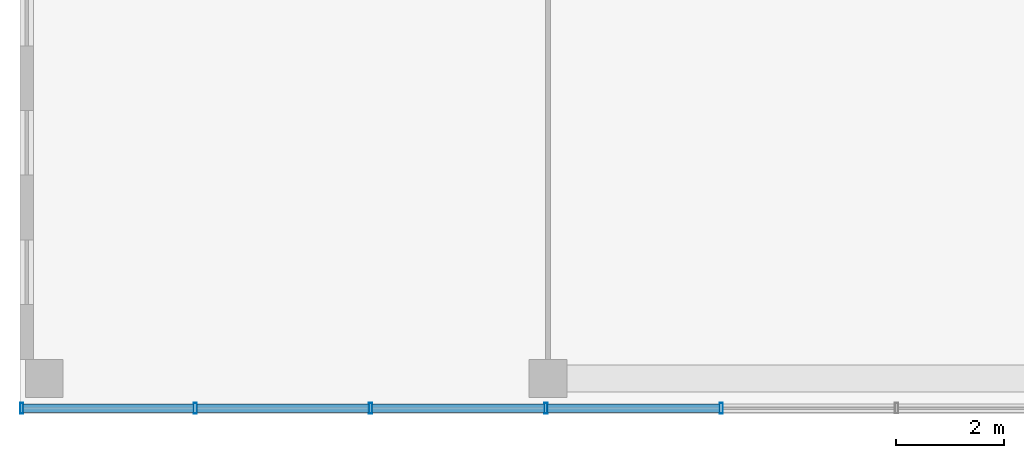
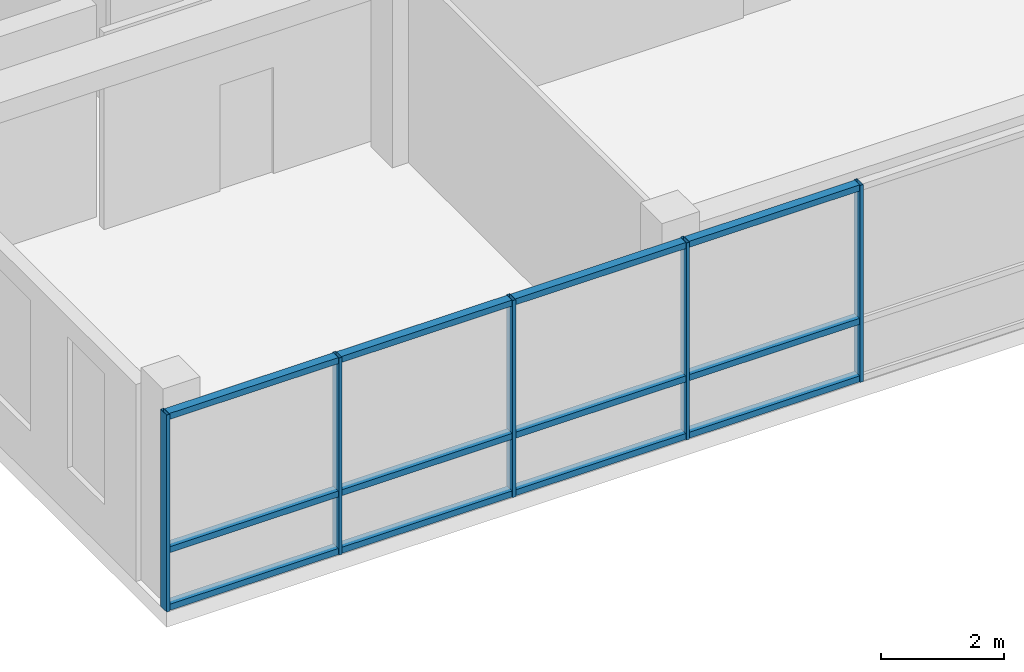
# One storey, part 2 of 27: 17 members, 1 element without a shape of its own.
"""IFC4 building model written with IfcOpenShell, lengths in metres."""

import ifcopenshell
import ifcopenshell.guid

model = None  # the IFC model being written
_history = None  # IfcOwnerHistory: only IFC2X3 demands one
_inside = {}  # id of a spatial element -> (the spatial element, [elements in it])
_under = {}  # id of a project, library or spatial element -> (it, [spatial elements below it])
_declared = {}  # id of a project -> (the project, [libraries it declares])
_typed = {}  # id of a type object -> (the type object, [elements of that type])
_made_of = {}  # id of a material, layer set ... -> (it, [elements and type objects made of it])


def new_model(schema):
    """Start an empty IFC model of exactly this schema.

    Asked for "IFC4X3", IfcOpenShell would pick the latest addendum, in which some entities
    have other attributes; the version numbers below select the first issue.
    IFC2X3 requires an IfcOwnerHistory on every rooted entity: one is made here for all.
    """
    global model, _history
    if schema == "IFC4X3":
        model = ifcopenshell.file(schema_version=(4, 3, 0, 0))
    else:
        model = ifcopenshell.file(schema=schema)
    _inside.clear()
    _under.clear()
    _declared.clear()
    _typed.clear()
    _made_of.clear()
    _history = None
    if model.schema == "IFC2X3":
        org = make("IfcOrganization", Name="unknown")
        user = make(
            "IfcPersonAndOrganization",
            ThePerson=make("IfcPerson", FamilyName="unknown"),
            TheOrganization=org,
        )
        app = make(
            "IfcApplication",
            ApplicationDeveloper=org,
            Version="unknown",
            ApplicationFullName="unknown",
            ApplicationIdentifier="unknown",
        )
        _history = make(
            "IfcOwnerHistory",
            OwningUser=user,
            OwningApplication=app,
            ChangeAction="ADDED",
            CreationDate=0,
        )
    return model


def make(cls, **values):
    """One entity of the class cls with the attributes given. An attribute that is None is left unset."""
    return model.create_entity(
        cls, **{name: value for name, value in values.items() if value is not None}
    )


def rooted(cls, **values):
    """An entity with a GlobalId (a new one), such as an element, a storey or a relation."""
    return make(cls, GlobalId=ifcopenshell.guid.new(), OwnerHistory=_history, **values)


def si_unit(unit_type, name, prefix=None):
    """IfcSIUnit, for example si_unit("LENGTHUNIT", "METRE", prefix="MILLI")."""
    return make("IfcSIUnit", UnitType=unit_type, Prefix=prefix, Name=name)


def assignment(units):
    """IfcUnitAssignment: the units of a project."""
    return None if units is None else make("IfcUnitAssignment", Units=units)


def point(xyz):
    """IfcCartesianPoint."""
    return None if xyz is None else make("IfcCartesianPoint", Coordinates=xyz)


def direction(xyz):
    """IfcDirection."""
    return None if xyz is None else make("IfcDirection", DirectionRatios=xyz)


def frame(location, z_axis=None, x_axis=None):
    """IfcAxis2Placement3D, a coordinate frame: its origin and axes. An axis left out is left unset."""
    return make(
        "IfcAxis2Placement3D",
        Location=point(location),
        Axis=direction(z_axis),
        RefDirection=direction(x_axis),
    )


def frame_2d(location, x_axis=None):
    """IfcAxis2Placement2D, a coordinate frame in the plane: its origin and x axis."""
    return make(
        "IfcAxis2Placement2D", Location=point(location), RefDirection=direction(x_axis)
    )


def origin():
    """The frame at (0, 0, 0) with its axes left unset."""
    return frame((0.0, 0.0, 0.0))


def origin_2d():
    """The frame at (0, 0) in the plane with its x axis left unset."""
    return frame_2d((0.0, 0.0))


def place(relative_to, where):
    """IfcLocalPlacement: puts the frame where relative to a parent placement (None: the world)."""
    return make(
        "IfcLocalPlacement", PlacementRelTo=relative_to, RelativePlacement=where
    )


def context(
    kind, dimensions, precision=None, world=None, true_north=None, identifier=None
):
    """IfcGeometricRepresentationContext, for example the 3D "Model" context."""
    return make(
        "IfcGeometricRepresentationContext",
        ContextIdentifier=identifier,
        ContextType=kind,
        CoordinateSpaceDimension=dimensions,
        Precision=precision,
        WorldCoordinateSystem=world,
        TrueNorth=true_north,
    )


def subcontext(parent, identifier, kind, view, scale=None):
    """IfcGeometricRepresentationSubContext, for example "Body" below "Model"."""
    return make(
        "IfcGeometricRepresentationSubContext",
        ContextIdentifier=identifier,
        ContextType=kind,
        ParentContext=parent,
        TargetScale=scale,
        TargetView=view,
    )


def project(units=None, contexts=None):
    """IfcProject with its units and contexts."""
    return rooted(
        "IfcProject",
        Name="project",
        RepresentationContexts=contexts,
        UnitsInContext=assignment(units),
    )


def spatial(cls, under=None, at=None, **own):
    """A site, building, storey or space (cls), placed at a placement, below another one or the project."""
    s = rooted(cls, ObjectPlacement=at, **own)
    if under is not None:
        _under.setdefault(under.id(), (under, []))[1].append(s)
    return s


def profile(cls, at=None, kind="AREA", **sizes):
    """A parametric profile (cls). Its sizes go by their IFC names, for example OverallWidth=200.0."""
    return make(cls, ProfileType=kind, Position=at, **sizes)


def hollow_rectangle(**sizes):
    """IfcRectangleHollowProfileDef."""
    return profile("IfcRectangleHollowProfileDef", **sizes)


def extrude(swept, where, along, depth):
    """IfcExtrudedAreaSolid: the profile swept, set in the frame where, extruded along a direction by depth."""
    return make(
        "IfcExtrudedAreaSolid",
        SweptArea=swept,
        Position=where,
        ExtrudedDirection=direction(along),
        Depth=depth,
    )


def shape(context_of_items, identifier, shape_type, items):
    """IfcShapeRepresentation: the items that make up one representation, for example the "Body"."""
    return make(
        "IfcShapeRepresentation",
        ContextOfItems=context_of_items,
        RepresentationIdentifier=identifier,
        RepresentationType=shape_type,
        Items=items,
    )


def material(Name=None, Category=None):
    """IfcMaterial."""
    return make("IfcMaterial", Name=Name, Category=Category)


def layer(
    of_material, thickness, ventilated=None, Name=None, Category=None, Priority=None
):
    """IfcMaterialLayer: one layer of a wall or slab, of a material (None: an air gap)."""
    return make(
        "IfcMaterialLayer",
        Material=of_material,
        LayerThickness=thickness,
        IsVentilated=ventilated,
        Name=Name,
        Category=Category,
        Priority=Priority,
    )


def layer_set(layers, Name=None):
    """IfcMaterialLayerSet."""
    return make("IfcMaterialLayerSet", MaterialLayers=layers, LayerSetName=Name)


def material_profile(
    of_material, cross_section, Name=None, Category=None, Priority=None
):
    """IfcMaterialProfile: a cross section and its material."""
    return make(
        "IfcMaterialProfile",
        Name=Name,
        Material=of_material,
        Profile=cross_section,
        Priority=Priority,
        Category=Category,
    )


def profile_set(profiles, Name=None, composite=None):
    """IfcMaterialProfileSet."""
    return make(
        "IfcMaterialProfileSet",
        Name=Name,
        MaterialProfiles=profiles,
        CompositeProfile=composite,
    )


def made_of(thing, what):
    """Note that an element or type object is made of a material, layer set ...; save() writes the relation."""
    if what is not None:
        _made_of.setdefault(what.id(), (what, []))[1].append(thing)
    return thing


def type_object(cls, material=None, **own):
    """A type object (cls), such as IfcWallType, which elements share."""
    return made_of(rooted(cls, **own), material)


def element(
    cls,
    number,
    at=None,
    inside=None,
    cuts=None,
    type_object=None,
    material=None,
    context=None,
    identifier="Body",
    shape_type=None,
    held_by="IfcProductDefinitionShape",
    body=None,
    shapes=None,
    **own,
):
    """One element of the class cls, such as IfcWall. Its Tag is "e" and its number.

    at: its placement. inside: the storey or other place that contains it. cuts: it is an
    opening in that element (IfcRelVoidsElement). A single representation is given by context,
    identifier, shape_type and body (its items); several are given by shapes. held_by: the class
    of the entity that holds the representations. save() writes the other relations.
    """
    e = rooted(cls, Tag="e%d" % number, ObjectPlacement=at, **own)
    if body is not None:
        shapes = [shape(context, identifier, shape_type, body)]
    if shapes is not None:
        e.Representation = make(held_by, Representations=shapes)
    if inside is not None:
        _inside.setdefault(inside.id(), (inside, []))[1].append(e)
    if cuts is not None:
        rooted(
            "IfcRelVoidsElement", RelatingBuildingElement=cuts, RelatedOpeningElement=e
        )
    if type_object is not None:
        _typed.setdefault(type_object.id(), (type_object, []))[1].append(e)
    return made_of(e, material)


def aggregate(whole, parts):
    """IfcRelAggregates: a whole, such as a stair, and the parts it consists of."""
    return rooted("IfcRelAggregates", RelatingObject=whole, RelatedObjects=parts)


def save(model, path):
    """Write the relations noted so far, then the file.

    IfcRelAggregates (storeys below a building ...), IfcRelContainedInSpatialStructure (elements
    in a storey), IfcRelDefinesByType, IfcRelAssociatesMaterial and IfcRelDeclares: one each for
    every whole, place, type object, material and project.
    """
    for whole, parts in _under.values():
        aggregate(whole, parts)
    for where, things in _inside.values():
        rooted(
            "IfcRelContainedInSpatialStructure",
            RelatedElements=things,
            RelatingStructure=where,
        )
    for kind, things in _typed.values():
        rooted("IfcRelDefinesByType", RelatedObjects=things, RelatingType=kind)
    for what, things in _made_of.values():
        rooted("IfcRelAssociatesMaterial", RelatedObjects=things, RelatingMaterial=what)
    for by, libraries in _declared.values():
        rooted("IfcRelDeclares", RelatingContext=by, RelatedDefinitions=libraries)
    model.write(path)


model = new_model("IFC4")

# Units and contexts
model_context = context("Model", 3, precision=1e-05, world=origin(), true_north=direction((0.0, 1.0)))
body_context = subcontext(model_context, "Body", "Model", "MODEL_VIEW")
ifc_project = project(units=[si_unit("LENGTHUNIT", "METRE"), si_unit("AREAUNIT", "SQUARE_METRE"), si_unit("VOLUMEUNIT", "CUBIC_METRE"), si_unit("PLANEANGLEUNIT", "RADIAN"), si_unit("MASSUNIT", "GRAM", prefix="KILO")], contexts=[model_context])

# Site, building, storey
site_placement = place(None, origin())
site = spatial("IfcSite", under=ifc_project, at=site_placement, CompositionType="ELEMENT")
building_placement = place(site_placement, origin())
building = spatial("IfcBuilding", under=site, at=building_placement, Name="Nzadi Deep Aquarium and Research Tower", CompositionType="ELEMENT")
storey_placement = place(building_placement, frame((0.0, 0.0, 69.699951171875)))
storey = spatial("IfcBuildingStorey", under=building, at=storey_placement, Name="L14", CompositionType="ELEMENT", Elevation=69.699951171875)

# Curtain wall, members
ifc_material_1 = material(Name="Aluminium unitised frame", Category="aluminium")
ifc_layer = layer(ifc_material_1, 0.199951171875)
ifc_layer_set = layer_set([ifc_layer], Name="Aluminium unitised frame")
curtain_wall_type = type_object("IfcCurtainWallType", Name="Curtain wall Unitised 200", PredefinedType="NOTDEFINED", material=ifc_layer_set)
curtain_wall_placement = place(storey_placement, origin())
curtain_wall = element("IfcCurtainWall", 1, at=curtain_wall_placement, inside=storey, type_object=curtain_wall_type, Name="Unitised curtain wall blade A south L14", PredefinedType="NOTDEFINED")
ifc_material_2 = material(Name="Aluminium unitised frame", Category="aluminium")
ifc_material_profile_1 = material_profile(ifc_material_2, hollow_rectangle(XDim=0.199951171875, YDim=0.06005859375, WallThickness=0.0048828125, at=origin_2d()))
ifc_profile_set_1 = profile_set([ifc_material_profile_1], Name="Aluminium unitised frame")
member_type_1 = type_object("IfcMemberType", Name="Mullion 60x200 Unitised", PredefinedType="MULLION", material=ifc_profile_set_1)
member_1_placement = place(storey_placement, frame((-0.16943359375, -0.10009765625, 0.0), z_axis=(0.0, 0.0, 1.0), x_axis=(0.0, 1.0, 0.0)))
member_1 = element("IfcMember", 2, at=member_1_placement, type_object=member_type_1, Name="CW064 mullion 1", PredefinedType="MULLION", context=body_context, shape_type="SweptSolid", body=[
    extrude(hollow_rectangle(XDim=0.199951171875, YDim=0.06005859375, WallThickness=0.0048828125, at=origin_2d()), origin(), (0.0, 0.0, 1.0), 3.900146484375),
])
member_2_placement = place(storey_placement, frame((3.05419921875, -0.10009765625, 0.0), z_axis=(0.0, 0.0, 1.0), x_axis=(0.0, 1.0, 0.0)))
member_2 = element("IfcMember", 3, at=member_2_placement, type_object=member_type_1, Name="CW064 mullion 2", PredefinedType="MULLION", context=body_context, shape_type="SweptSolid", body=[
    extrude(hollow_rectangle(XDim=0.199951171875, YDim=0.06005859375, WallThickness=0.0048828125, at=origin_2d()), origin(), (0.0, 0.0, 1.0), 3.900146484375),
])
member_3_placement = place(storey_placement, frame((6.308349609375, -0.10009765625, 0.0), z_axis=(0.0, 0.0, 1.0), x_axis=(0.0, 1.0, 0.0)))
member_3 = element("IfcMember", 4, at=member_3_placement, type_object=member_type_1, Name="CW064 mullion 3", PredefinedType="MULLION", context=body_context, shape_type="SweptSolid", body=[
    extrude(hollow_rectangle(XDim=0.199951171875, YDim=0.06005859375, WallThickness=0.0048828125, at=origin_2d()), origin(), (0.0, 0.0, 1.0), 3.900146484375),
])
member_4_placement = place(storey_placement, frame((9.5625, -0.10009765625, 0.0), z_axis=(0.0, 0.0, 1.0), x_axis=(0.0, 1.0, 0.0)))
member_4 = element("IfcMember", 5, at=member_4_placement, type_object=member_type_1, Name="CW064 mullion 4", PredefinedType="MULLION", context=body_context, shape_type="SweptSolid", body=[
    extrude(hollow_rectangle(XDim=0.199951171875, YDim=0.06005859375, WallThickness=0.0048828125, at=origin_2d()), origin(), (0.0, 0.0, 1.0), 3.900146484375),
])
member_5_placement = place(storey_placement, frame((12.816650390625, -0.10009765625, 0.0), z_axis=(0.0, 0.0, 1.0), x_axis=(0.0, 1.0, 0.0)))
member_5 = element("IfcMember", 6, at=member_5_placement, type_object=member_type_1, Name="CW064 mullion 5", PredefinedType="MULLION", context=body_context, shape_type="SweptSolid", body=[
    extrude(hollow_rectangle(XDim=0.199951171875, YDim=0.06005859375, WallThickness=0.0048828125, at=origin_2d()), origin(), (0.0, 0.0, 1.0), 3.900146484375),
])
ifc_material_3 = material(Name="Aluminium unitised frame", Category="aluminium")
ifc_material_profile_2 = material_profile(ifc_material_3, hollow_rectangle(XDim=0.159912109375, YDim=0.1201171875, WallThickness=0.0048828125, at=origin_2d()))
ifc_profile_set_2 = profile_set([ifc_material_profile_2], Name="Aluminium unitised frame")
member_type_2 = type_object("IfcMemberType", Name="Transom 120x160 Unitised", PredefinedType="MULLION", material=ifc_profile_set_2)
member_6_placement = place(storey_placement, frame((-0.139892578125, -0.10009765625, 0.06005859375), z_axis=(1.0, 0.0, 0.0), x_axis=(0.0, 1.0, 0.0)))
member_6 = element("IfcMember", 7, at=member_6_placement, type_object=member_type_2, Name="CW064 transom 1.1", PredefinedType="MULLION", context=body_context, shape_type="SweptSolid", body=[
    extrude(hollow_rectangle(XDim=0.159912109375, YDim=0.1201171875, WallThickness=0.0048828125, at=origin_2d()), origin(), (0.0, 0.0, 1.0), 3.1640625),
])
member_7_placement = place(storey_placement, frame((-0.139892578125, -0.10009765625, 1.199951171875), z_axis=(1.0, 0.0, 0.0), x_axis=(0.0, 1.0, 0.0)))
member_7 = element("IfcMember", 8, at=member_7_placement, type_object=member_type_2, Name="CW064 transom 1.2", PredefinedType="MULLION", context=body_context, shape_type="SweptSolid", body=[
    extrude(hollow_rectangle(XDim=0.159912109375, YDim=0.1201171875, WallThickness=0.0048828125, at=origin_2d()), origin(), (0.0, 0.0, 1.0), 3.1640625),
])
member_8_placement = place(storey_placement, frame((-0.139892578125, -0.10009765625, 3.840087890625), z_axis=(1.0, 0.0, 0.0), x_axis=(0.0, 1.0, 0.0)))
member_8 = element("IfcMember", 9, at=member_8_placement, type_object=member_type_2, Name="CW064 transom 1.3", PredefinedType="MULLION", context=body_context, shape_type="SweptSolid", body=[
    extrude(hollow_rectangle(XDim=0.159912109375, YDim=0.1201171875, WallThickness=0.0048828125, at=origin_2d()), origin(), (0.0, 0.0, 1.0), 3.1640625),
])
member_9_placement = place(storey_placement, frame((3.084228515625, -0.10009765625, 0.06005859375), z_axis=(1.0, 0.0, 0.0), x_axis=(0.0, 1.0, 0.0)))
member_9 = element("IfcMember", 10, at=member_9_placement, type_object=member_type_2, Name="CW064 transom 2.1", PredefinedType="MULLION", context=body_context, shape_type="SweptSolid", body=[
    extrude(hollow_rectangle(XDim=0.159912109375, YDim=0.1201171875, WallThickness=0.0048828125, at=origin_2d()), origin(), (0.0, 0.0, 1.0), 3.194091796875),
])
member_10_placement = place(storey_placement, frame((3.084228515625, -0.10009765625, 1.199951171875), z_axis=(1.0, 0.0, 0.0), x_axis=(0.0, 1.0, 0.0)))
member_10 = element("IfcMember", 11, at=member_10_placement, type_object=member_type_2, Name="CW064 transom 2.2", PredefinedType="MULLION", context=body_context, shape_type="SweptSolid", body=[
    extrude(hollow_rectangle(XDim=0.159912109375, YDim=0.1201171875, WallThickness=0.0048828125, at=origin_2d()), origin(), (0.0, 0.0, 1.0), 3.194091796875),
])
member_11_placement = place(storey_placement, frame((3.084228515625, -0.10009765625, 3.840087890625), z_axis=(1.0, 0.0, 0.0), x_axis=(0.0, 1.0, 0.0)))
member_11 = element("IfcMember", 12, at=member_11_placement, type_object=member_type_2, Name="CW064 transom 2.3", PredefinedType="MULLION", context=body_context, shape_type="SweptSolid", body=[
    extrude(hollow_rectangle(XDim=0.159912109375, YDim=0.1201171875, WallThickness=0.0048828125, at=origin_2d()), origin(), (0.0, 0.0, 1.0), 3.194091796875),
])
member_12_placement = place(storey_placement, frame((6.33837890625, -0.10009765625, 0.06005859375), z_axis=(1.0, 0.0, 0.0), x_axis=(0.0, 1.0, 0.0)))
member_12 = element("IfcMember", 13, at=member_12_placement, type_object=member_type_2, Name="CW064 transom 3.1", PredefinedType="MULLION", context=body_context, shape_type="SweptSolid", body=[
    extrude(hollow_rectangle(XDim=0.159912109375, YDim=0.1201171875, WallThickness=0.0048828125, at=origin_2d()), origin(), (0.0, 0.0, 1.0), 3.194091796875),
])
member_13_placement = place(storey_placement, frame((6.33837890625, -0.10009765625, 1.199951171875), z_axis=(1.0, 0.0, 0.0), x_axis=(0.0, 1.0, 0.0)))
member_13 = element("IfcMember", 14, at=member_13_placement, type_object=member_type_2, Name="CW064 transom 3.2", PredefinedType="MULLION", context=body_context, shape_type="SweptSolid", body=[
    extrude(hollow_rectangle(XDim=0.159912109375, YDim=0.1201171875, WallThickness=0.0048828125, at=origin_2d()), origin(), (0.0, 0.0, 1.0), 3.194091796875),
])
member_14_placement = place(storey_placement, frame((6.33837890625, -0.10009765625, 3.840087890625), z_axis=(1.0, 0.0, 0.0), x_axis=(0.0, 1.0, 0.0)))
member_14 = element("IfcMember", 15, at=member_14_placement, type_object=member_type_2, Name="CW064 transom 3.3", PredefinedType="MULLION", context=body_context, shape_type="SweptSolid", body=[
    extrude(hollow_rectangle(XDim=0.159912109375, YDim=0.1201171875, WallThickness=0.0048828125, at=origin_2d()), origin(), (0.0, 0.0, 1.0), 3.194091796875),
])
member_15_placement = place(storey_placement, frame((9.592529296875, -0.10009765625, 0.06005859375), z_axis=(1.0, 0.0, 0.0), x_axis=(0.0, 1.0, 0.0)))
member_15 = element("IfcMember", 16, at=member_15_placement, type_object=member_type_2, Name="CW064 transom 4.1", PredefinedType="MULLION", context=body_context, shape_type="SweptSolid", body=[
    extrude(hollow_rectangle(XDim=0.159912109375, YDim=0.1201171875, WallThickness=0.0048828125, at=origin_2d()), origin(), (0.0, 0.0, 1.0), 3.194091796875),
])
member_16_placement = place(storey_placement, frame((9.592529296875, -0.10009765625, 1.199951171875), z_axis=(1.0, 0.0, 0.0), x_axis=(0.0, 1.0, 0.0)))
member_16 = element("IfcMember", 17, at=member_16_placement, type_object=member_type_2, Name="CW064 transom 4.2", PredefinedType="MULLION", context=body_context, shape_type="SweptSolid", body=[
    extrude(hollow_rectangle(XDim=0.159912109375, YDim=0.1201171875, WallThickness=0.0048828125, at=origin_2d()), origin(), (0.0, 0.0, 1.0), 3.194091796875),
])
member_17_placement = place(storey_placement, frame((9.592529296875, -0.10009765625, 3.840087890625), z_axis=(1.0, 0.0, 0.0), x_axis=(0.0, 1.0, 0.0)))
member_17 = element("IfcMember", 18, at=member_17_placement, type_object=member_type_2, Name="CW064 transom 4.3", PredefinedType="MULLION", context=body_context, shape_type="SweptSolid", body=[
    extrude(hollow_rectangle(XDim=0.159912109375, YDim=0.1201171875, WallThickness=0.0048828125, at=origin_2d()), origin(), (0.0, 0.0, 1.0), 3.194091796875),
])
aggregate(curtain_wall, [member_1, member_2, member_3, member_4, member_5, member_6, member_7, member_8, member_9, member_10, member_11, member_12, member_13, member_14, member_15, member_16, member_17])

save(model, "model.ifc")
